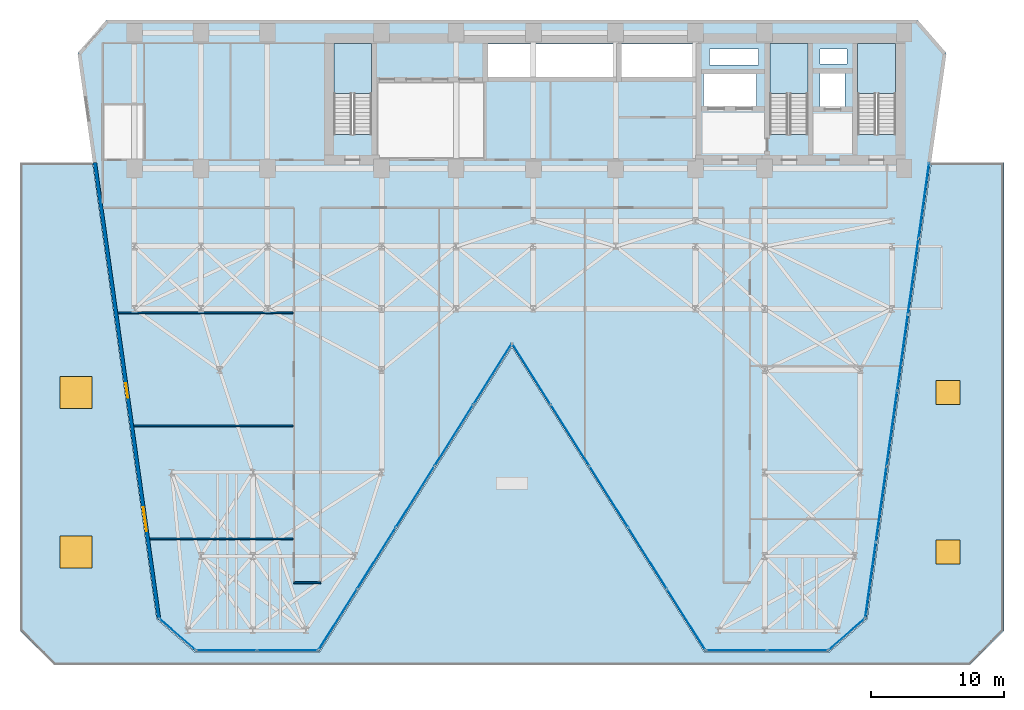
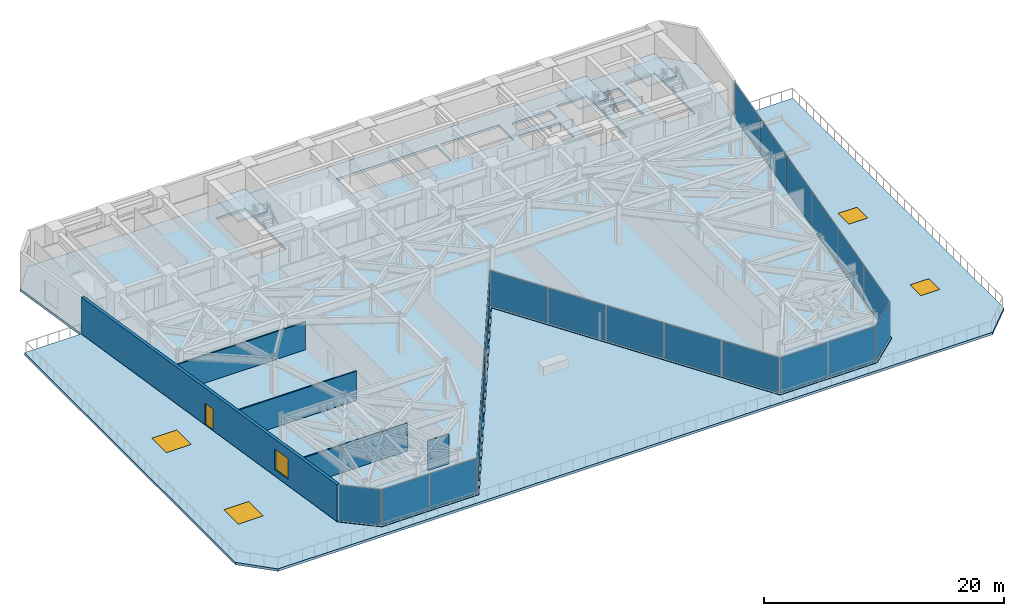
# One storey, part 17 of 25: 22 plates, 5 slabs, 5 walls, 5 windows, 1 door, 6 openings, 10 elements without a shape of their own.
"""IFC4 building model written with IfcOpenShell, lengths in metres."""

from ifc_helpers import new_model, si_unit, direction, frame, frame_2d, origin, origin_2d, place, context, subcontext, project, spatial, polyline, rectangle, outline, extrude, material, layer, layer_set, type_object, element, fill, aggregate, save


model = new_model("IFC4")

# Units and contexts
model_context = context("Model", 3, precision=1e-05, world=origin(), true_north=direction((0.0, 1.0)))
body_context = subcontext(model_context, "Body", "Model", "MODEL_VIEW")
ifc_project = project(units=[si_unit("LENGTHUNIT", "METRE"), si_unit("AREAUNIT", "SQUARE_METRE"), si_unit("VOLUMEUNIT", "CUBIC_METRE"), si_unit("PLANEANGLEUNIT", "RADIAN"), si_unit("MASSUNIT", "GRAM", prefix="KILO")], contexts=[model_context])

# Site, building, storey
site_placement = place(None, origin())
site = spatial("IfcSite", under=ifc_project, at=site_placement, CompositionType="ELEMENT")
building_placement = place(site_placement, origin())
building = spatial("IfcBuilding", under=site, at=building_placement, Name="Kravanh Interchange Tower", CompositionType="ELEMENT")
storey_placement = place(building_placement, frame((0.0, 0.0, 29.5)))
storey = spatial("IfcBuildingStorey", under=building, at=storey_placement, Name="L06", CompositionType="ELEMENT", Elevation=29.5)

# Slab
ifc_material_1 = material(Name="Concrete C50/60", Category="concrete")
ifc_layer_1 = layer(ifc_material_1, 0.260009765625)
ifc_layer_set_1 = layer_set([ifc_layer_1], Name="Composite Floor Slab Concrete C50/60 260mm")
slab_type_1 = type_object("IfcSlabType", Name="Composite Floor Slab Concrete C50/60 260mm", PredefinedType="FLOOR", material=ifc_layer_set_1)
slab_1_placement = place(storey_placement, frame((0.0, 0.0, -0.260009765625)))
element("IfcSlab", 1, at=slab_1_placement, inside=storey, type_object=slab_type_1, Name="L06 Structural Floor Slab", PredefinedType="FLOOR", context=body_context, shape_type="SweptSolid", body=[
    extrude(outline(polyline([(10.327880859375, 3.4755859375), (13.17578125, 1.0), (22.5, 1.0), (37.0, 24.0), (51.5, 1.0), (60.82421875, 1.0), (63.672119140625, 3.4755859375), (69.652099609375, 46.0244140625), (67.5, 48.5), (6.5, 48.5), (4.347900390625, 46.0244140625), (10.327880859375, 3.4755859375)]), holes=[polyline([(65.85009765625, 39.925048828125), (65.85009765625, 46.75), (63.0, 46.75), (63.0, 39.925048828125), (65.85009765625, 39.925048828125)]), polyline([(59.25, 39.925048828125), (59.25, 46.75), (56.39990234375, 46.75), (56.39990234375, 39.925048828125), (59.25, 39.925048828125)]), polyline([(26.449951171875, 39.925048828125), (26.449951171875, 46.75), (23.60009765625, 46.75), (23.60009765625, 39.925048828125), (26.449951171875, 39.925048828125)]), polyline([(35.179931640625, 44.219970703125), (44.840087890625, 44.219970703125), (44.840087890625, 46.699951171875), (35.179931640625, 46.699951171875), (35.179931640625, 44.219970703125)]), polyline([(45.239990234375, 44.219970703125), (50.840087890625, 44.219970703125), (50.840087890625, 46.699951171875), (45.239990234375, 46.699951171875), (45.239990234375, 44.219970703125)]), polyline([(51.419921875, 42.02001953125), (55.3798828125, 42.02001953125), (55.3798828125, 44.47998046875), (51.419921875, 44.47998046875), (51.419921875, 42.02001953125)]), polyline([(60.179931640625, 41.97998046875), (62.06005859375, 41.97998046875), (62.06005859375, 44.52001953125), (60.179931640625, 44.52001953125), (60.179931640625, 41.97998046875)]), polyline([(60.14990234375, 45.199951171875), (62.199951171875, 45.199951171875), (62.199951171875, 46.35009765625), (60.14990234375, 46.35009765625), (60.14990234375, 45.199951171875)]), polyline([(51.85009765625, 45.14990234375), (55.550048828125, 45.14990234375), (55.550048828125, 46.35009765625), (51.85009765625, 46.35009765625), (51.85009765625, 45.14990234375)])]), origin(), (0.0, 0.0, 1.0), 0.260009765625),
])

# Stair, slab
ifc_material_2 = material(Name="Concrete C50/60", Category="concrete")
stair_type = type_object("IfcStairType", Name="Core Fire Exit Dogleg Stair Concrete C50/60", PredefinedType="HALF_TURN_STAIR", material=ifc_material_2)
stair_1_placement = place(storey_placement, origin())
stair_1 = element("IfcStair", 2, at=stair_1_placement, inside=storey, type_object=stair_type, Name="L06 Exit Stair ST1", PredefinedType="HALF_TURN_STAIR")
ifc_material_3 = material(Name="Concrete C50/60", Category="concrete")
ifc_layer_2 = layer(ifc_material_3, 0.199951171875)
ifc_layer_set_2 = layer_set([ifc_layer_2], Name="Concrete C50/60 Stair Half-Landing Slab 200mm")
slab_type_2 = type_object("IfcSlabType", Name="Concrete C50/60 Stair Half-Landing Slab 200mm", PredefinedType="LANDING", material=ifc_layer_set_2)
slab_2_placement = place(storey_placement, frame((0.0, 0.0, 1.800048828125)))
slab_2 = element("IfcSlab", 3, at=slab_2_placement, type_object=slab_type_2, Name="ST1 landing 1", PredefinedType="LANDING", context=body_context, shape_type="SweptSolid", body=[
    extrude(outline(polyline([(65.85009765625, 42.97998046875), (65.85009765625, 46.75), (63.0, 46.75), (63.0, 42.97998046875), (65.85009765625, 42.97998046875)])), origin(), (0.0, 0.0, 1.0), 0.199951171875),
])
aggregate(stair_1, [slab_2])

stair_2_placement = place(storey_placement, origin())
stair_2 = element("IfcStair", 4, at=stair_2_placement, inside=storey, type_object=stair_type, Name="L06 Exit Stair ST2", PredefinedType="HALF_TURN_STAIR")
slab_3_placement = place(storey_placement, frame((0.0, 0.0, 1.800048828125)))
slab_3 = element("IfcSlab", 5, at=slab_3_placement, type_object=slab_type_2, Name="ST2 landing 1", PredefinedType="LANDING", context=body_context, shape_type="SweptSolid", body=[
    extrude(outline(polyline([(59.25, 42.97998046875), (59.25, 46.75), (56.39990234375, 46.75), (56.39990234375, 42.97998046875), (59.25, 42.97998046875)])), origin(), (0.0, 0.0, 1.0), 0.199951171875),
])
aggregate(stair_2, [slab_3])

stair_3_placement = place(storey_placement, origin())
stair_3 = element("IfcStair", 6, at=stair_3_placement, inside=storey, type_object=stair_type, Name="L06 Exit Stair ST3", PredefinedType="HALF_TURN_STAIR")
slab_4_placement = place(storey_placement, frame((0.0, 0.0, 1.800048828125)))
slab_4 = element("IfcSlab", 7, at=slab_4_placement, type_object=slab_type_2, Name="ST3 landing 1", PredefinedType="LANDING", context=body_context, shape_type="SweptSolid", body=[
    extrude(outline(polyline([(26.449951171875, 42.97998046875), (26.449951171875, 46.75), (23.60009765625, 46.75), (23.60009765625, 42.97998046875), (26.449951171875, 42.97998046875)])), origin(), (0.0, 0.0, 1.0), 0.199951171875),
])
aggregate(stair_3, [slab_4])

# Slab, openings, windows
ifc_material_4 = material(Name="Concrete C50/60", Category="concrete")
ifc_layer_3 = layer(ifc_material_4, 0.25)
ifc_layer_set_3 = layer_set([ifc_layer_3], Name="Insulated Terrace Roof Slab Concrete C50/60 250mm")
slab_type_3 = type_object("IfcSlabType", Name="Insulated Terrace Roof Slab Concrete C50/60 250mm", PredefinedType="ROOF", material=ifc_layer_set_3)
slab_5_placement = place(storey_placement, frame((0.0, 0.0, -0.25)))
slab_5 = element("IfcSlab", 8, at=slab_5_placement, inside=storey, type_object=slab_type_3, Name="L06 Stepped Terrace Roof 1", PredefinedType="ROOF", context=body_context, shape_type="SweptSolid", body=[
    extrude(outline(polyline([(74.0, 2.60009765625), (71.39990234375, 0.0), (2.60009765625, 0.0), (0.0, 2.60009765625), (0.0, 37.800048828125), (5.46337890625, 37.800048828125), (10.290283203125, 3.455322265625), (13.16064453125, 0.9599609375), (22.522216796875, 0.9599609375), (37.0, 23.925048828125), (51.477783203125, 0.9599609375), (60.83935546875, 0.9599609375), (63.709716796875, 3.455322265625), (68.53662109375, 37.800048828125), (74.0, 37.800048828125), (74.0, 2.60009765625)]), holes=[polyline([(3.0, 7.300048828125), (5.39990234375, 7.300048828125), (5.39990234375, 9.699951171875), (3.0, 9.699951171875), (3.0, 7.300048828125)]), polyline([(3.0, 19.300048828125), (5.39990234375, 19.300048828125), (5.39990234375, 21.699951171875), (3.0, 21.699951171875), (3.0, 19.300048828125)]), polyline([(68.89990234375, 7.60009765625), (70.699951171875, 7.60009765625), (70.699951171875, 9.39990234375), (68.89990234375, 9.39990234375), (68.89990234375, 7.60009765625)]), polyline([(68.89990234375, 19.60009765625), (70.699951171875, 19.60009765625), (70.699951171875, 21.39990234375), (68.89990234375, 21.39990234375), (68.89990234375, 19.60009765625)])]), origin(), (0.0, 0.0, 1.0), 0.25),
])
opening_1_placement = place(slab_5_placement, frame((4.199951171875, 8.5, 0.0)))
opening_1 = element("IfcOpeningElement", 9, at=opening_1_placement, cuts=slab_5, Name="Opening SK-240X240", PredefinedType="OPENING", context=body_context, shape_type="SweptSolid", body=[
    extrude(rectangle(XDim=2.39990234375, YDim=2.39990234375, at=origin_2d()), origin(), (0.0, 0.0, 1.0), 0.25),
])
opening_2_placement = place(slab_5_placement, frame((4.199951171875, 20.5, 0.0)))
opening_2 = element("IfcOpeningElement", 10, at=opening_2_placement, cuts=slab_5, Name="Opening SK-240X240", PredefinedType="OPENING", context=body_context, shape_type="SweptSolid", body=[
    extrude(rectangle(XDim=2.39990234375, YDim=2.39990234375, at=origin_2d()), origin(), (0.0, 0.0, 1.0), 0.25),
])
opening_3_placement = place(slab_5_placement, frame((69.800048828125, 8.5, 0.0)))
opening_3 = element("IfcOpeningElement", 11, at=opening_3_placement, cuts=slab_5, Name="Opening SK-180X180", PredefinedType="OPENING", context=body_context, shape_type="SweptSolid", body=[
    extrude(rectangle(XDim=1.800048828125, YDim=1.800048828125, at=origin_2d()), origin(), (0.0, 0.0, 1.0), 0.25),
])
opening_4_placement = place(slab_5_placement, frame((69.800048828125, 20.5, 0.0)))
opening_4 = element("IfcOpeningElement", 12, at=opening_4_placement, cuts=slab_5, Name="Opening SK-180X180", PredefinedType="OPENING", context=body_context, shape_type="SweptSolid", body=[
    extrude(rectangle(XDim=1.800048828125, YDim=1.800048828125, at=origin_2d()), origin(), (0.0, 0.0, 1.0), 0.25),
])
ifc_material_5 = material(Name="Thermally Broken Bronze Aluminium and Low-E Glass", Category="aluminium")
window_type_1 = type_object("IfcWindowType", Name="Podium Concourse Roof Skylight 2400x2400", PartitioningType="SINGLE_PANEL", PredefinedType="SKYLIGHT", material=ifc_material_5)
window_1_placement = place(opening_1_placement, frame((0.0, 0.0, 0.199951171875)))
window_1 = element("IfcWindow", 13, at=window_1_placement, inside=storey, type_object=window_type_1, Name="Podium Station Roof Skylight 1", OverallHeight=2.39990234375, OverallWidth=2.39990234375, PartitioningType="SINGLE_PANEL", PredefinedType="SKYLIGHT", context=body_context, shape_type="SweptSolid", body=[
    extrude(rectangle(XDim=2.39990234375, YDim=2.39990234375, at=origin_2d()), origin(), (0.0, 0.0, 1.0), 0.050048828125),
])
fill(opening_1, window_1)
window_2_placement = place(opening_2_placement, frame((0.0, 0.0, 0.199951171875)))
window_2 = element("IfcWindow", 14, at=window_2_placement, inside=storey, type_object=window_type_1, Name="Podium Station Roof Skylight 2", OverallHeight=2.39990234375, OverallWidth=2.39990234375, PartitioningType="SINGLE_PANEL", PredefinedType="SKYLIGHT", context=body_context, shape_type="SweptSolid", body=[
    extrude(rectangle(XDim=2.39990234375, YDim=2.39990234375, at=origin_2d()), origin(), (0.0, 0.0, 1.0), 0.050048828125),
])
fill(opening_2, window_2)
ifc_material_6 = material(Name="Thermally Broken Bronze Aluminium and Low-E Glass", Category="aluminium")
window_type_2 = type_object("IfcWindowType", Name="Terrace Daylight Skylight 1800x1800", PartitioningType="SINGLE_PANEL", PredefinedType="SKYLIGHT", material=ifc_material_6)
window_3_placement = place(opening_3_placement, frame((0.0, 0.0, 0.199951171875)))
window_3 = element("IfcWindow", 15, at=window_3_placement, inside=storey, type_object=window_type_2, Name="Podium Station Roof Skylight 3", OverallHeight=1.800048828125, OverallWidth=1.800048828125, PartitioningType="SINGLE_PANEL", PredefinedType="SKYLIGHT", context=body_context, shape_type="SweptSolid", body=[
    extrude(rectangle(XDim=1.800048828125, YDim=1.800048828125, at=origin_2d()), origin(), (0.0, 0.0, 1.0), 0.050048828125),
])
fill(opening_3, window_3)
window_4_placement = place(opening_4_placement, frame((0.0, 0.0, 0.199951171875)))
window_4 = element("IfcWindow", 16, at=window_4_placement, inside=storey, type_object=window_type_2, Name="Podium Station Roof Skylight 4", OverallHeight=1.800048828125, OverallWidth=1.800048828125, PartitioningType="SINGLE_PANEL", PredefinedType="SKYLIGHT", context=body_context, shape_type="SweptSolid", body=[
    extrude(rectangle(XDim=1.800048828125, YDim=1.800048828125, at=origin_2d()), origin(), (0.0, 0.0, 1.0), 0.050048828125),
])
fill(opening_4, window_4)

# Curtain wall, plates
ifc_material_7 = material(Name="Anodised Bronze Aluminium", Category="aluminium")
ifc_layer_4 = layer(ifc_material_7, 0.179931640625)
ifc_layer_set_4 = layer_set([ifc_layer_4], Name="Unitised Curtain Wall System CW-Z1 Lower Office")
curtain_wall_type = type_object("IfcCurtainWallType", Name="Unitised Curtain Wall System CW-Z1 Lower Office", PredefinedType="NOTDEFINED", material=ifc_layer_set_4)
curtain_wall_1_placement = place(storey_placement, origin())
curtain_wall_1 = element("IfcCurtainWall", 17, at=curtain_wall_1_placement, inside=storey, type_object=curtain_wall_type, Name="L06 Unitised Curtain Wall CW-L06-01", PredefinedType="NOTDEFINED")
ifc_material_8 = material(Name="Low-E Laminated Architectural Glass", Category="glass")
ifc_layer_5 = layer(ifc_material_8, 0.028076171875)
ifc_layer_set_5 = layer_set([ifc_layer_5], Name="Solar-Control Double Glazing 28mm")
plate_type = type_object("IfcPlateType", Name="Solar-Control Double Glazing 28mm", PredefinedType="CURTAIN_PANEL", material=ifc_layer_set_5)
plate_1_placement = place(storey_placement, frame((67.971435546875, 34.927490234375, 0.06005859375), z_axis=(0.0, 0.0, 1.0), x_axis=(-0.139176538065, -0.990267585682, 0.0)))
plate_1 = element("IfcPlate", 18, at=plate_1_placement, type_object=plate_type, Name="CW-Z1 panel 1.1", PredefinedType="CURTAIN_PANEL", context=body_context, shape_type="SweptSolid", body=[
    extrude(rectangle(XDim=5.66162109375, YDim=0.028076171875, at=origin_2d()), origin(), (0.0, 0.0, 1.0), 3.6201171875),
])
plate_2_placement = place(storey_placement, frame((67.171142578125, 29.234130859375, 0.06005859375), z_axis=(0.0, 0.0, 1.0), x_axis=(-0.139176538065, -0.990267585682, 0.0)))
plate_2 = element("IfcPlate", 19, at=plate_2_placement, type_object=plate_type, Name="CW-Z1 panel 2.1", PredefinedType="CURTAIN_PANEL", context=body_context, shape_type="SweptSolid", body=[
    extrude(rectangle(XDim=5.69677734375, YDim=0.028076171875, at=origin_2d()), origin(), (0.0, 0.0, 1.0), 3.6201171875),
])
plate_3_placement = place(storey_placement, frame((66.36865234375, 23.523681640625, 0.06005859375), z_axis=(0.0, 0.0, 1.0), x_axis=(-0.139176538065, -0.990267585682, 0.0)))
plate_3 = element("IfcPlate", 20, at=plate_3_placement, type_object=plate_type, Name="CW-Z1 panel 3.1", PredefinedType="CURTAIN_PANEL", context=body_context, shape_type="SweptSolid", body=[
    extrude(rectangle(XDim=5.69677734375, YDim=0.028076171875, at=origin_2d()), origin(), (0.0, 0.0, 1.0), 3.6201171875),
])
plate_4_placement = place(storey_placement, frame((65.566162109375, 17.813232421875, 0.06005859375), z_axis=(0.0, 0.0, 1.0), x_axis=(-0.139176538065, -0.990267585682, 0.0)))
plate_4 = element("IfcPlate", 21, at=plate_4_placement, type_object=plate_type, Name="CW-Z1 panel 4.1", PredefinedType="CURTAIN_PANEL", context=body_context, shape_type="SweptSolid", body=[
    extrude(rectangle(XDim=5.69677734375, YDim=0.028076171875, at=origin_2d()), origin(), (0.0, 0.0, 1.0), 3.6201171875),
])
plate_5_placement = place(storey_placement, frame((64.763427734375, 12.1025390625, 0.06005859375), z_axis=(0.0, 0.0, 1.0), x_axis=(-0.139176538065, -0.990267585682, 0.0)))
plate_5 = element("IfcPlate", 22, at=plate_5_placement, type_object=plate_type, Name="CW-Z1 panel 5.1", PredefinedType="CURTAIN_PANEL", context=body_context, shape_type="SweptSolid", body=[
    extrude(rectangle(XDim=5.69677734375, YDim=0.028076171875, at=origin_2d()), origin(), (0.0, 0.0, 1.0), 3.6201171875),
])
plate_6_placement = place(storey_placement, frame((63.96337890625, 6.409423828125, 0.06005859375), z_axis=(0.0, 0.0, 1.0), x_axis=(-0.139176538065, -0.990267585682, 0.0)))
plate_6 = element("IfcPlate", 23, at=plate_6_placement, type_object=plate_type, Name="CW-Z1 panel 6.1", PredefinedType="CURTAIN_PANEL", context=body_context, shape_type="SweptSolid", body=[
    extrude(rectangle(XDim=5.66162109375, YDim=0.028076171875, at=origin_2d()), origin(), (0.0, 0.0, 1.0), 3.6201171875),
])
aggregate(curtain_wall_1, [plate_1, plate_2, plate_3, plate_4, plate_5, plate_6])

# Curtain wall, plate
curtain_wall_2_placement = place(storey_placement, origin())
curtain_wall_2 = element("IfcCurtainWall", 24, at=curtain_wall_2_placement, inside=storey, type_object=curtain_wall_type, Name="L06 Unitised Curtain Wall CW-L06-02", PredefinedType="NOTDEFINED")
plate_7_placement = place(storey_placement, frame((62.16943359375, 2.328369140625, 0.06005859375), z_axis=(0.0, 0.0, 1.0), x_axis=(-0.754708368999, -0.656060422341, 0.0)))
plate_7 = element("IfcPlate", 25, at=plate_7_placement, type_object=plate_type, Name="CW-Z1 panel 1.1", PredefinedType="CURTAIN_PANEL", context=body_context, shape_type="SweptSolid", body=[
    extrude(rectangle(XDim=3.543701171875, YDim=0.028076171875, at=origin_2d()), origin(), (0.0, 0.0, 1.0), 3.6201171875),
])
aggregate(curtain_wall_2, [plate_7])

# Curtain wall, plates
curtain_wall_3_placement = place(storey_placement, origin())
curtain_wall_3 = element("IfcCurtainWall", 26, at=curtain_wall_3_placement, inside=storey, type_object=curtain_wall_type, Name="L06 Unitised Curtain Wall CW-L06-03", PredefinedType="NOTDEFINED")
plate_8_placement = place(storey_placement, frame((58.45849609375, 1.1201171875, 0.06005859375), z_axis=(0.0, 0.0, 1.0), x_axis=(-1.0, 0.0, 0.0)))
plate_8 = element("IfcPlate", 27, at=plate_8_placement, type_object=plate_type, Name="CW-Z1 panel 1.1", PredefinedType="CURTAIN_PANEL", context=body_context, shape_type="SweptSolid", body=[
    extrude(rectangle(XDim=4.501708984375, YDim=0.028076171875, at=origin_2d()), origin(), (0.0, 0.0, 1.0), 3.6201171875),
])
plate_9_placement = place(storey_placement, frame((53.886962890625, 1.1201171875, 0.06005859375), z_axis=(0.0, 0.0, 1.0), x_axis=(-1.0, 0.0, 0.0)))
plate_9 = element("IfcPlate", 28, at=plate_9_placement, type_object=plate_type, Name="CW-Z1 panel 2.1", PredefinedType="CURTAIN_PANEL", context=body_context, shape_type="SweptSolid", body=[
    extrude(rectangle(XDim=4.501708984375, YDim=0.028076171875, at=origin_2d()), origin(), (0.0, 0.0, 1.0), 3.6201171875),
])
aggregate(curtain_wall_3, [plate_8, plate_9])

curtain_wall_4_placement = place(storey_placement, origin())
curtain_wall_4 = element("IfcCurtainWall", 29, at=curtain_wall_4_placement, inside=storey, type_object=curtain_wall_type, Name="L06 Unitised Curtain Wall CW-L06-04", PredefinedType="NOTDEFINED")
plate_10_placement = place(storey_placement, frame((50.100341796875, 3.4453125, 0.06005859375), z_axis=(0.0, 0.0, 1.0), x_axis=(-0.53330103728, 0.845925530786, 0.0)))
plate_10 = element("IfcPlate", 30, at=plate_10_placement, type_object=plate_type, Name="CW-Z1 panel 1.1", PredefinedType="CURTAIN_PANEL", context=body_context, shape_type="SweptSolid", body=[
    extrude(rectangle(XDim=5.357666015625, YDim=0.028076171875, at=origin_2d()), origin(), (0.0, 0.0, 1.0), 3.6201171875),
])
plate_11_placement = place(storey_placement, frame((47.1962890625, 8.051513671875, 0.06005859375), z_axis=(0.0, 0.0, 1.0), x_axis=(-0.53330103728, 0.845925530786, 0.0)))
plate_11 = element("IfcPlate", 31, at=plate_11_placement, type_object=plate_type, Name="CW-Z1 panel 2.1", PredefinedType="CURTAIN_PANEL", context=body_context, shape_type="SweptSolid", body=[
    extrude(rectangle(XDim=5.392578125, YDim=0.028076171875, at=origin_2d()), origin(), (0.0, 0.0, 1.0), 3.6201171875),
])
plate_12_placement = place(storey_placement, frame((44.283203125, 12.672607421875, 0.06005859375), z_axis=(0.0, 0.0, 1.0), x_axis=(-0.53330103728, 0.845925530786, 0.0)))
plate_12 = element("IfcPlate", 32, at=plate_12_placement, type_object=plate_type, Name="CW-Z1 panel 3.1", PredefinedType="CURTAIN_PANEL", context=body_context, shape_type="SweptSolid", body=[
    extrude(rectangle(XDim=5.392578125, YDim=0.028076171875, at=origin_2d()), origin(), (0.0, 0.0, 1.0), 3.6201171875),
])
plate_13_placement = place(storey_placement, frame((41.369873046875, 17.29345703125, 0.06005859375), z_axis=(0.0, 0.0, 1.0), x_axis=(-0.53330103728, 0.845925530786, 0.0)))
plate_13 = element("IfcPlate", 33, at=plate_13_placement, type_object=plate_type, Name="CW-Z1 panel 4.1", PredefinedType="CURTAIN_PANEL", context=body_context, shape_type="SweptSolid", body=[
    extrude(rectangle(XDim=5.392578125, YDim=0.028076171875, at=origin_2d()), origin(), (0.0, 0.0, 1.0), 3.6201171875),
])
plate_14_placement = place(storey_placement, frame((38.466064453125, 21.899658203125, 0.06005859375), z_axis=(0.0, 0.0, 1.0), x_axis=(-0.53330103728, 0.845925530786, 0.0)))
plate_14 = element("IfcPlate", 34, at=plate_14_placement, type_object=plate_type, Name="CW-Z1 panel 5.1", PredefinedType="CURTAIN_PANEL", context=body_context, shape_type="SweptSolid", body=[
    extrude(rectangle(XDim=5.357666015625, YDim=0.028076171875, at=origin_2d()), origin(), (0.0, 0.0, 1.0), 3.6201171875),
])
aggregate(curtain_wall_4, [plate_10, plate_11, plate_12, plate_13, plate_14])

curtain_wall_5_placement = place(storey_placement, origin())
curtain_wall_5 = element("IfcCurtainWall", 35, at=curtain_wall_5_placement, inside=storey, type_object=curtain_wall_type, Name="L06 Unitised Curtain Wall CW-L06-05", PredefinedType="NOTDEFINED")
plate_15_placement = place(storey_placement, frame((35.533935546875, 21.899658203125, 0.06005859375), z_axis=(0.0, 0.0, 1.0), x_axis=(-0.53330103728, -0.845925530786, 0.0)))
plate_15 = element("IfcPlate", 36, at=plate_15_placement, type_object=plate_type, Name="CW-Z1 panel 1.1", PredefinedType="CURTAIN_PANEL", context=body_context, shape_type="SweptSolid", body=[
    extrude(rectangle(XDim=5.357666015625, YDim=0.028076171875, at=origin_2d()), origin(), (0.0, 0.0, 1.0), 3.6201171875),
])
plate_16_placement = place(storey_placement, frame((32.630126953125, 17.29345703125, 0.06005859375), z_axis=(0.0, 0.0, 1.0), x_axis=(-0.53330103728, -0.845925530786, 0.0)))
plate_16 = element("IfcPlate", 37, at=plate_16_placement, type_object=plate_type, Name="CW-Z1 panel 2.1", PredefinedType="CURTAIN_PANEL", context=body_context, shape_type="SweptSolid", body=[
    extrude(rectangle(XDim=5.392578125, YDim=0.028076171875, at=origin_2d()), origin(), (0.0, 0.0, 1.0), 3.6201171875),
])
plate_17_placement = place(storey_placement, frame((29.716796875, 12.672607421875, 0.06005859375), z_axis=(0.0, 0.0, 1.0), x_axis=(-0.53330103728, -0.845925530786, 0.0)))
plate_17 = element("IfcPlate", 38, at=plate_17_placement, type_object=plate_type, Name="CW-Z1 panel 3.1", PredefinedType="CURTAIN_PANEL", context=body_context, shape_type="SweptSolid", body=[
    extrude(rectangle(XDim=5.392578125, YDim=0.028076171875, at=origin_2d()), origin(), (0.0, 0.0, 1.0), 3.6201171875),
])
plate_18_placement = place(storey_placement, frame((26.8037109375, 8.051513671875, 0.06005859375), z_axis=(0.0, 0.0, 1.0), x_axis=(-0.53330103728, -0.845925530786, 0.0)))
plate_18 = element("IfcPlate", 39, at=plate_18_placement, type_object=plate_type, Name="CW-Z1 panel 4.1", PredefinedType="CURTAIN_PANEL", context=body_context, shape_type="SweptSolid", body=[
    extrude(rectangle(XDim=5.392578125, YDim=0.028076171875, at=origin_2d()), origin(), (0.0, 0.0, 1.0), 3.6201171875),
])
plate_19_placement = place(storey_placement, frame((23.899658203125, 3.4453125, 0.06005859375), z_axis=(0.0, 0.0, 1.0), x_axis=(-0.53330103728, -0.845925530786, 0.0)))
plate_19 = element("IfcPlate", 40, at=plate_19_placement, type_object=plate_type, Name="CW-Z1 panel 5.1", PredefinedType="CURTAIN_PANEL", context=body_context, shape_type="SweptSolid", body=[
    extrude(rectangle(XDim=5.357666015625, YDim=0.028076171875, at=origin_2d()), origin(), (0.0, 0.0, 1.0), 3.6201171875),
])
aggregate(curtain_wall_5, [plate_15, plate_16, plate_17, plate_18, plate_19])

curtain_wall_6_placement = place(storey_placement, origin())
curtain_wall_6 = element("IfcCurtainWall", 41, at=curtain_wall_6_placement, inside=storey, type_object=curtain_wall_type, Name="L06 Unitised Curtain Wall CW-L06-06", PredefinedType="NOTDEFINED")
plate_20_placement = place(storey_placement, frame((20.113037109375, 1.1201171875, 0.06005859375), z_axis=(0.0, 0.0, 1.0), x_axis=(-1.0, 0.0, 0.0)))
plate_20 = element("IfcPlate", 42, at=plate_20_placement, type_object=plate_type, Name="CW-Z1 panel 1.1", PredefinedType="CURTAIN_PANEL", context=body_context, shape_type="SweptSolid", body=[
    extrude(rectangle(XDim=4.501708984375, YDim=0.028076171875, at=origin_2d()), origin(), (0.0, 0.0, 1.0), 3.6201171875),
])
plate_21_placement = place(storey_placement, frame((15.54150390625, 1.1201171875, 0.06005859375), z_axis=(0.0, 0.0, 1.0), x_axis=(-1.0, 0.0, 0.0)))
plate_21 = element("IfcPlate", 43, at=plate_21_placement, type_object=plate_type, Name="CW-Z1 panel 2.1", PredefinedType="CURTAIN_PANEL", context=body_context, shape_type="SweptSolid", body=[
    extrude(rectangle(XDim=4.501708984375, YDim=0.028076171875, at=origin_2d()), origin(), (0.0, 0.0, 1.0), 3.6201171875),
])
aggregate(curtain_wall_6, [plate_20, plate_21])

# Curtain wall, plate
curtain_wall_7_placement = place(storey_placement, origin())
curtain_wall_7 = element("IfcCurtainWall", 44, at=curtain_wall_7_placement, inside=storey, type_object=curtain_wall_type, Name="L06 Unitised Curtain Wall CW-L06-07", PredefinedType="NOTDEFINED")
plate_22_placement = place(storey_placement, frame((11.83056640625, 2.328369140625, 0.06005859375), z_axis=(0.0, 0.0, 1.0), x_axis=(-0.754708368999, 0.656060422341, 0.0)))
plate_22 = element("IfcPlate", 45, at=plate_22_placement, type_object=plate_type, Name="CW-Z1 panel 1.1", PredefinedType="CURTAIN_PANEL", context=body_context, shape_type="SweptSolid", body=[
    extrude(rectangle(XDim=3.543701171875, YDim=0.028076171875, at=origin_2d()), origin(), (0.0, 0.0, 1.0), 3.6201171875),
])
aggregate(curtain_wall_7, [plate_22])

# Walls
ifc_material_9 = material(Name="Double Acoustic Gypsum Board and Mineral Wool")
ifc_layer_6 = layer(ifc_material_9, 0.1201171875)
ifc_layer_set_6 = layer_set([ifc_layer_6], Name="Acoustic Office Drywall Partition 120mm")
wall_type_1 = type_object("IfcWallType", Name="Acoustic Office Drywall Partition 120mm", PredefinedType="PARTITIONING", material=ifc_layer_set_6)
wall_1_placement = place(storey_placement, frame((20.60009765625, 6.199951171875, 0.0), z_axis=(0.0, 0.0, 1.0), x_axis=(1.0, 0.0, 0.0)))
element("IfcWall", 46, at=wall_1_placement, inside=storey, type_object=wall_type_1, Name="L06 Interior Partition 20", PredefinedType="PARTITIONING", context=body_context, shape_type="SweptSolid", body=[
    extrude(rectangle(XDim=2.0, YDim=0.1201171875, at=frame_2d((1.0, 0.0))), origin(), (0.0, 0.0, 1.0), 2.97802734375),
])
wall_2_placement = place(storey_placement, frame((9.768798828125, 9.5, 0.0), z_axis=(0.0, 0.0, 1.0), x_axis=(1.0, 0.0, 0.0)))
element("IfcWall", 47, at=wall_2_placement, inside=storey, type_object=wall_type_1, Name="L06 Interior Partition 24", PredefinedType="PARTITIONING", context=body_context, shape_type="SweptSolid", body=[
    extrude(rectangle(XDim=10.76318359375, YDim=0.1201171875, at=frame_2d((5.381591796875, 0.0))), origin(), (0.0, 0.0, 1.0), 2.81298828125),
])
wall_3_placement = place(storey_placement, frame((8.57421875, 18.0, 0.0), z_axis=(0.0, 0.0, 1.0), x_axis=(1.0, 0.0, 0.0)))
element("IfcWall", 48, at=wall_3_placement, inside=storey, type_object=wall_type_1, Name="L06 Interior Partition 25", PredefinedType="PARTITIONING", context=body_context, shape_type="SweptSolid", body=[
    extrude(rectangle(XDim=11.957763671875, YDim=0.1201171875, at=frame_2d((5.97900390625, 0.0))), origin(), (0.0, 0.0, 1.0), 2.97802734375),
])
wall_4_placement = place(storey_placement, frame((7.379638671875, 26.5, 0.0), z_axis=(0.0, 0.0, 1.0), x_axis=(1.0, 0.0, 0.0)))
element("IfcWall", 49, at=wall_4_placement, inside=storey, type_object=wall_type_1, Name="L06 Interior Partition 26", PredefinedType="PARTITIONING", context=body_context, shape_type="SweptSolid", body=[
    extrude(rectangle(XDim=13.15234375, YDim=0.1201171875, at=frame_2d((6.576171875, 0.0))), origin(), (0.0, 0.0, 1.0), 2.81298828125),
])

# Wall, openings, door, window
ifc_material_10 = material(Name="Insulated Precast Concrete C40/50 with Bronze Cladding", Category="concrete")
ifc_layer_7 = layer(ifc_material_10, 0.280029296875)
ifc_layer_set_7 = layer_set([ifc_layer_7], Name="Exterior Insulated Concrete C40/50 Bronze Spandrel Wall 280mm")
wall_type_2 = type_object("IfcWallType", Name="Exterior Insulated Concrete C40/50 Bronze Spandrel Wall 280mm", PredefinedType="STANDARD", material=ifc_layer_set_7)
wall_5_placement = place(storey_placement, frame((10.4404296875, 3.536865234375, 0.0), z_axis=(0.0, 0.0, 1.0), x_axis=(-0.139174610616, 0.990267856572, 0.0)))
wall_5 = element("IfcWall", 50, at=wall_5_placement, inside=storey, type_object=wall_type_2, Name="L06 Exterior Wall 1", PredefinedType="STANDARD", context=body_context, shape_type="SweptSolid", body=[
    extrude(rectangle(XDim=34.599853515625, YDim=0.280029296875, at=frame_2d((17.2998046875, 0.0))), origin(), (0.0, 0.0, 1.0), 3.739990234375),
])
opening_5_placement = place(wall_5_placement, frame((16.75, 0.0, 0.0)))
opening_5 = element("IfcOpeningElement", 51, at=opening_5_placement, cuts=wall_5, Name="Opening ED-TERR110", PredefinedType="OPENING", context=body_context, shape_type="SweptSolid", body=[
    extrude(rectangle(XDim=1.10009765625, YDim=2.199951171875, at=frame_2d((0.550048828125, 1.10009765625))), frame((0.0, 0.14990234375, 0.0), z_axis=(0.0, -1.0, 0.0), x_axis=(1.0, 0.0, 0.0)), (0.0, 0.0, 1.0), 0.300048828125),
])
opening_6_placement = place(wall_5_placement, frame((6.614013671875, 0.0, 0.64990234375)))
opening_6 = element("IfcOpeningElement", 52, at=opening_6_placement, cuts=wall_5, Name="Opening WN-180X210", PredefinedType="OPENING", context=body_context, shape_type="SweptSolid", body=[
    extrude(rectangle(XDim=1.800048828125, YDim=2.10009765625, at=frame_2d((0.89990234375, 1.050048828125))), frame((0.0, 0.14990234375, 0.0), z_axis=(0.0, -1.0, 0.0), x_axis=(1.0, 0.0, 0.0)), (0.0, 0.0, 1.0), 0.300048828125),
])
ifc_material_11 = material(Name="Thermally Broken Bronze Aluminium and Laminated Glass", Category="aluminium")
door_type = type_object("IfcDoorType", Name="Terrace Access Glazed Door 1100x2200", OperationType="NOTDEFINED", PredefinedType="DOOR", material=ifc_material_11)
door_placement = place(opening_5_placement, origin())
door = element("IfcDoor", 53, at=door_placement, inside=storey, type_object=door_type, Name="L06 Stepped Sky Terrace Access Door", OperationType="SINGLE_SWING_RIGHT", OverallHeight=2.199951171875, OverallWidth=1.10009765625, PredefinedType="DOOR", context=body_context, shape_type="SweptSolid", body=[
    extrude(rectangle(XDim=1.10009765625, YDim=2.199951171875, at=frame_2d((0.550048828125, 1.10009765625))), frame((0.0, 0.02490234375, 0.0), z_axis=(0.0, -1.0, 0.0), x_axis=(1.0, 0.0, 0.0)), (0.0, 0.0, 1.0), 0.050048828125),
])
fill(opening_5, door)
ifc_material_12 = material(Name="Thermally Broken Bronze Aluminium and Low-E Glass", Category="aluminium")
window_type_3 = type_object("IfcWindowType", Name="Tower Pier Window 1800x2100", PartitioningType="SINGLE_PANEL", PredefinedType="WINDOW", material=ifc_material_12)
window_5_placement = place(opening_6_placement, origin())
window_5 = element("IfcWindow", 54, at=window_5_placement, inside=storey, type_object=window_type_3, Name="L06 Terrace Facade Window", OverallHeight=2.10009765625, OverallWidth=1.800048828125, PartitioningType="SINGLE_PANEL", PredefinedType="WINDOW", context=body_context, shape_type="SweptSolid", body=[
    extrude(rectangle(XDim=1.800048828125, YDim=2.10009765625, at=frame_2d((0.89990234375, 1.050048828125))), frame((0.0, 0.030029296875, 0.0), z_axis=(0.0, -1.0, 0.0), x_axis=(1.0, 0.0, 0.0)), (0.0, 0.0, 1.0), 0.06005859375),
])
fill(opening_6, window_5)

save(model, "model.ifc")
